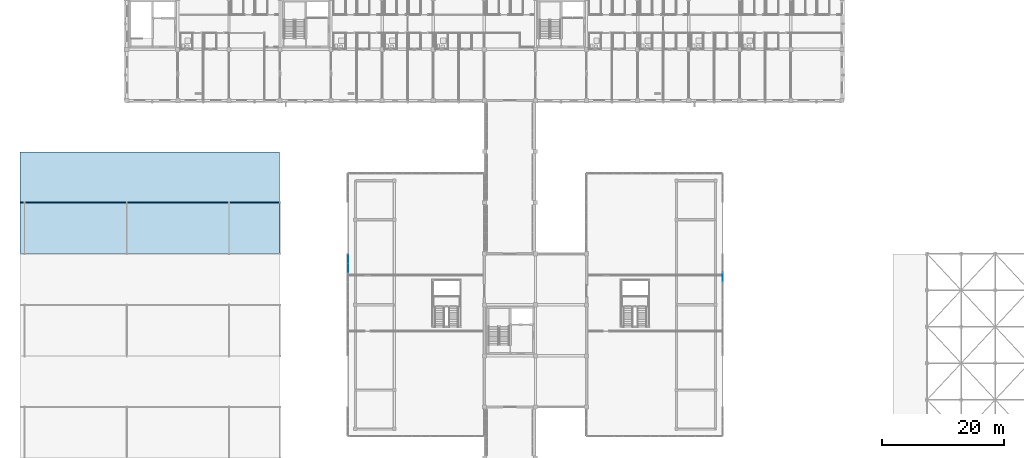
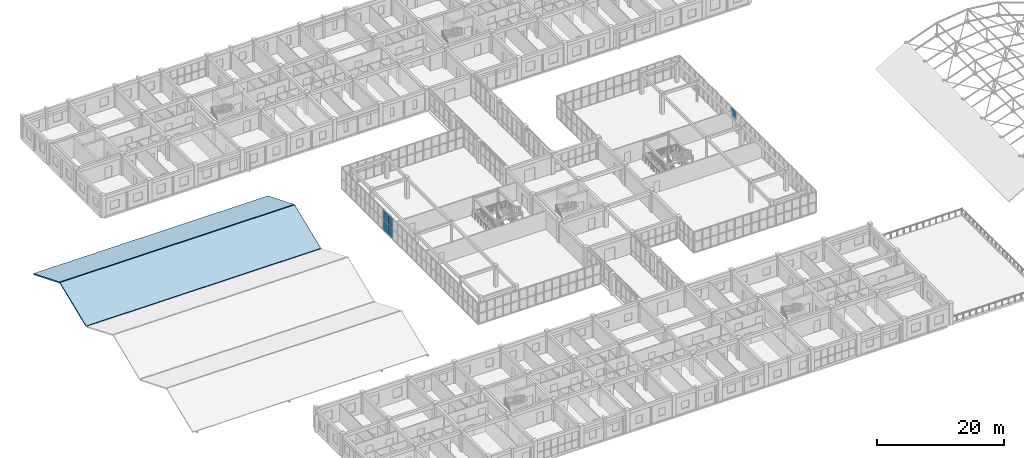
# One storey, part 100 of 140: 5 plates, 2 slabs, 2 elements without a shape of their own.
"""IFC4 building model written with IfcOpenShell, lengths in metres."""

import ifcopenshell
import ifcopenshell.guid

model = None  # the IFC model being written
_history = None  # IfcOwnerHistory: only IFC2X3 demands one
_inside = {}  # id of a spatial element -> (the spatial element, [elements in it])
_under = {}  # id of a project, library or spatial element -> (it, [spatial elements below it])
_declared = {}  # id of a project -> (the project, [libraries it declares])
_typed = {}  # id of a type object -> (the type object, [elements of that type])
_made_of = {}  # id of a material, layer set ... -> (it, [elements and type objects made of it])


def new_model(schema):
    """Start an empty IFC model of exactly this schema.

    Asked for "IFC4X3", IfcOpenShell would pick the latest addendum, in which some entities
    have other attributes; the version numbers below select the first issue.
    IFC2X3 requires an IfcOwnerHistory on every rooted entity: one is made here for all.
    """
    global model, _history
    if schema == "IFC4X3":
        model = ifcopenshell.file(schema_version=(4, 3, 0, 0))
    else:
        model = ifcopenshell.file(schema=schema)
    _inside.clear()
    _under.clear()
    _declared.clear()
    _typed.clear()
    _made_of.clear()
    _history = None
    if model.schema == "IFC2X3":
        org = make("IfcOrganization", Name="unknown")
        user = make(
            "IfcPersonAndOrganization",
            ThePerson=make("IfcPerson", FamilyName="unknown"),
            TheOrganization=org,
        )
        app = make(
            "IfcApplication",
            ApplicationDeveloper=org,
            Version="unknown",
            ApplicationFullName="unknown",
            ApplicationIdentifier="unknown",
        )
        _history = make(
            "IfcOwnerHistory",
            OwningUser=user,
            OwningApplication=app,
            ChangeAction="ADDED",
            CreationDate=0,
        )
    return model


def make(cls, **values):
    """One entity of the class cls with the attributes given. An attribute that is None is left unset."""
    return model.create_entity(
        cls, **{name: value for name, value in values.items() if value is not None}
    )


def rooted(cls, **values):
    """An entity with a GlobalId (a new one), such as an element, a storey or a relation."""
    return make(cls, GlobalId=ifcopenshell.guid.new(), OwnerHistory=_history, **values)


def si_unit(unit_type, name, prefix=None):
    """IfcSIUnit, for example si_unit("LENGTHUNIT", "METRE", prefix="MILLI")."""
    return make("IfcSIUnit", UnitType=unit_type, Prefix=prefix, Name=name)


def assignment(units):
    """IfcUnitAssignment: the units of a project."""
    return None if units is None else make("IfcUnitAssignment", Units=units)


def point(xyz):
    """IfcCartesianPoint."""
    return None if xyz is None else make("IfcCartesianPoint", Coordinates=xyz)


def direction(xyz):
    """IfcDirection."""
    return None if xyz is None else make("IfcDirection", DirectionRatios=xyz)


def frame(location, z_axis=None, x_axis=None):
    """IfcAxis2Placement3D, a coordinate frame: its origin and axes. An axis left out is left unset."""
    return make(
        "IfcAxis2Placement3D",
        Location=point(location),
        Axis=direction(z_axis),
        RefDirection=direction(x_axis),
    )


def frame_2d(location, x_axis=None):
    """IfcAxis2Placement2D, a coordinate frame in the plane: its origin and x axis."""
    return make(
        "IfcAxis2Placement2D", Location=point(location), RefDirection=direction(x_axis)
    )


def origin():
    """The frame at (0, 0, 0) with its axes left unset."""
    return frame((0.0, 0.0, 0.0))


def origin_2d():
    """The frame at (0, 0) in the plane with its x axis left unset."""
    return frame_2d((0.0, 0.0))


def place(relative_to, where):
    """IfcLocalPlacement: puts the frame where relative to a parent placement (None: the world)."""
    return make(
        "IfcLocalPlacement", PlacementRelTo=relative_to, RelativePlacement=where
    )


def context(
    kind, dimensions, precision=None, world=None, true_north=None, identifier=None
):
    """IfcGeometricRepresentationContext, for example the 3D "Model" context."""
    return make(
        "IfcGeometricRepresentationContext",
        ContextIdentifier=identifier,
        ContextType=kind,
        CoordinateSpaceDimension=dimensions,
        Precision=precision,
        WorldCoordinateSystem=world,
        TrueNorth=true_north,
    )


def subcontext(parent, identifier, kind, view, scale=None):
    """IfcGeometricRepresentationSubContext, for example "Body" below "Model"."""
    return make(
        "IfcGeometricRepresentationSubContext",
        ContextIdentifier=identifier,
        ContextType=kind,
        ParentContext=parent,
        TargetScale=scale,
        TargetView=view,
    )


def project(units=None, contexts=None):
    """IfcProject with its units and contexts."""
    return rooted(
        "IfcProject",
        Name="project",
        RepresentationContexts=contexts,
        UnitsInContext=assignment(units),
    )


def spatial(cls, under=None, at=None, **own):
    """A site, building, storey or space (cls), placed at a placement, below another one or the project."""
    s = rooted(cls, ObjectPlacement=at, **own)
    if under is not None:
        _under.setdefault(under.id(), (under, []))[1].append(s)
    return s


def polyline(points):
    """IfcPolyline through the points."""
    return make("IfcPolyline", Points=[point(p) for p in points])


def profile(cls, at=None, kind="AREA", **sizes):
    """A parametric profile (cls). Its sizes go by their IFC names, for example OverallWidth=200.0."""
    return make(cls, ProfileType=kind, Position=at, **sizes)


def rectangle(**sizes):
    """IfcRectangleProfileDef."""
    return profile("IfcRectangleProfileDef", **sizes)


def outline(outer, holes=None, kind="AREA"):
    """IfcArbitraryClosedProfileDef: a profile drawn as a closed curve; with holes, ...WithVoids."""
    if holes is None:
        return make("IfcArbitraryClosedProfileDef", ProfileType=kind, OuterCurve=outer)
    return make(
        "IfcArbitraryProfileDefWithVoids",
        ProfileType=kind,
        OuterCurve=outer,
        InnerCurves=holes,
    )


def extrude(swept, where, along, depth):
    """IfcExtrudedAreaSolid: the profile swept, set in the frame where, extruded along a direction by depth."""
    return make(
        "IfcExtrudedAreaSolid",
        SweptArea=swept,
        Position=where,
        ExtrudedDirection=direction(along),
        Depth=depth,
    )


def shape(context_of_items, identifier, shape_type, items):
    """IfcShapeRepresentation: the items that make up one representation, for example the "Body"."""
    return make(
        "IfcShapeRepresentation",
        ContextOfItems=context_of_items,
        RepresentationIdentifier=identifier,
        RepresentationType=shape_type,
        Items=items,
    )


def material(Name=None, Category=None):
    """IfcMaterial."""
    return make("IfcMaterial", Name=Name, Category=Category)


def layer(
    of_material, thickness, ventilated=None, Name=None, Category=None, Priority=None
):
    """IfcMaterialLayer: one layer of a wall or slab, of a material (None: an air gap)."""
    return make(
        "IfcMaterialLayer",
        Material=of_material,
        LayerThickness=thickness,
        IsVentilated=ventilated,
        Name=Name,
        Category=Category,
        Priority=Priority,
    )


def layer_set(layers, Name=None):
    """IfcMaterialLayerSet."""
    return make("IfcMaterialLayerSet", MaterialLayers=layers, LayerSetName=Name)


def made_of(thing, what):
    """Note that an element or type object is made of a material, layer set ...; save() writes the relation."""
    if what is not None:
        _made_of.setdefault(what.id(), (what, []))[1].append(thing)
    return thing


def type_object(cls, material=None, **own):
    """A type object (cls), such as IfcWallType, which elements share."""
    return made_of(rooted(cls, **own), material)


def element(
    cls,
    number,
    at=None,
    inside=None,
    cuts=None,
    type_object=None,
    material=None,
    context=None,
    identifier="Body",
    shape_type=None,
    held_by="IfcProductDefinitionShape",
    body=None,
    shapes=None,
    **own,
):
    """One element of the class cls, such as IfcWall. Its Tag is "e" and its number.

    at: its placement. inside: the storey or other place that contains it. cuts: it is an
    opening in that element (IfcRelVoidsElement). A single representation is given by context,
    identifier, shape_type and body (its items); several are given by shapes. held_by: the class
    of the entity that holds the representations. save() writes the other relations.
    """
    e = rooted(cls, Tag="e%d" % number, ObjectPlacement=at, **own)
    if body is not None:
        shapes = [shape(context, identifier, shape_type, body)]
    if shapes is not None:
        e.Representation = make(held_by, Representations=shapes)
    if inside is not None:
        _inside.setdefault(inside.id(), (inside, []))[1].append(e)
    if cuts is not None:
        rooted(
            "IfcRelVoidsElement", RelatingBuildingElement=cuts, RelatedOpeningElement=e
        )
    if type_object is not None:
        _typed.setdefault(type_object.id(), (type_object, []))[1].append(e)
    return made_of(e, material)


def aggregate(whole, parts):
    """IfcRelAggregates: a whole, such as a stair, and the parts it consists of."""
    return rooted("IfcRelAggregates", RelatingObject=whole, RelatedObjects=parts)


def save(model, path):
    """Write the relations noted so far, then the file.

    IfcRelAggregates (storeys below a building ...), IfcRelContainedInSpatialStructure (elements
    in a storey), IfcRelDefinesByType, IfcRelAssociatesMaterial and IfcRelDeclares: one each for
    every whole, place, type object, material and project.
    """
    for whole, parts in _under.values():
        aggregate(whole, parts)
    for where, things in _inside.values():
        rooted(
            "IfcRelContainedInSpatialStructure",
            RelatedElements=things,
            RelatingStructure=where,
        )
    for kind, things in _typed.values():
        rooted("IfcRelDefinesByType", RelatedObjects=things, RelatingType=kind)
    for what, things in _made_of.values():
        rooted("IfcRelAssociatesMaterial", RelatedObjects=things, RelatingMaterial=what)
    for by, libraries in _declared.values():
        rooted("IfcRelDeclares", RelatingContext=by, RelatedDefinitions=libraries)
    model.write(path)


model = new_model("IFC4")

# Units and contexts
model_context = context("Model", 3, precision=1e-05, world=origin(), true_north=direction((0.0, 1.0)))
body_context = subcontext(model_context, "Body", "Model", "MODEL_VIEW")
ifc_project = project(units=[si_unit("LENGTHUNIT", "METRE"), si_unit("AREAUNIT", "SQUARE_METRE"), si_unit("VOLUMEUNIT", "CUBIC_METRE"), si_unit("PLANEANGLEUNIT", "RADIAN"), si_unit("MASSUNIT", "GRAM", prefix="KILO")], contexts=[model_context])

# Site, building, storey
site_placement = place(None, origin())
site = spatial("IfcSite", under=ifc_project, at=site_placement, CompositionType="ELEMENT")
building_placement = place(site_placement, origin())
building = spatial("IfcBuilding", under=site, at=building_placement, Name="Trelvath General Hospital", CompositionType="ELEMENT")
storey_placement = place(building_placement, frame((0.0, 0.0, 16.199951171875)))
storey = spatial("IfcBuildingStorey", under=building, at=storey_placement, Name="L04", CompositionType="ELEMENT", Elevation=16.199951171875)

# Curtain wall, plates
ifc_material_1 = material(Name="Anodised aluminium and low-E glass", Category="aluminium")
ifc_layer_1 = layer(ifc_material_1, 0.139892578125)
ifc_layer_set_1 = layer_set([ifc_layer_1], Name="Anodised aluminium and low-E glass")
curtain_wall_type = type_object("IfcCurtainWallType", Name="CW CrystalCube 1664 396 14", PredefinedType="USERDEFINED", material=ifc_layer_set_1)
curtain_wall_1_placement = place(storey_placement, origin())
curtain_wall_1 = element("IfcCurtainWall", 1, at=curtain_wall_1_placement, inside=storey, type_object=curtain_wall_type, Name="Crystal Cube Curtain Wall CUBE-W-T1 W3 L04", ObjectType="Unitised Glazed Curtain Wall", PredefinedType="USERDEFINED")
ifc_material_2 = material(Name="Low-E laminated glass", Category="glass")
ifc_layer_2 = layer(ifc_material_2, 0.028076171875)
ifc_layer_set_2 = layer_set([ifc_layer_2], Name="Low-E laminated glass")
plate_type = type_object("IfcPlateType", Name="CurtainPanel Glass28", PredefinedType="CURTAIN_PANEL", material=ifc_layer_set_2)
plate_1_placement = place(storey_placement, frame((53.199951171875, 64.850830078125, 0.06005859375), z_axis=(0.0, 0.0, 1.0), x_axis=(0.0, 1.0, 0.0)))
plate_1 = element("IfcPlate", 2, at=plate_1_placement, type_object=plate_type, Name="CW-277 panel 10.1", PredefinedType="CURTAIN_PANEL", context=body_context, shape_type="SweptSolid", body=[
    extrude(rectangle(XDim=1.45263671875, YDim=0.028076171875, at=origin_2d()), origin(), (0.0, 0.0, 1.0), 1.889892578125),
])
plate_2_placement = place(storey_placement, frame((53.199951171875, 64.850830078125, 2.01025390625), z_axis=(0.0, 0.0, 1.0), x_axis=(0.0, 1.0, 0.0)))
plate_2 = element("IfcPlate", 3, at=plate_2_placement, type_object=plate_type, Name="CW-277 panel 10.2", PredefinedType="CURTAIN_PANEL", context=body_context, shape_type="SweptSolid", body=[
    extrude(rectangle(XDim=1.45263671875, YDim=0.028076171875, at=origin_2d()), origin(), (0.0, 0.0, 1.0), 1.889892578125),
])
plate_3_placement = place(storey_placement, frame((53.199951171875, 66.3486328125, 0.06005859375), z_axis=(0.0, 0.0, 1.0), x_axis=(0.0, 1.0, 0.0)))
plate_3 = element("IfcPlate", 4, at=plate_3_placement, type_object=plate_type, Name="CW-277 panel 11.1", PredefinedType="CURTAIN_PANEL", context=body_context, shape_type="SweptSolid", body=[
    extrude(rectangle(XDim=1.422607421875, YDim=0.028076171875, at=origin_2d()), origin(), (0.0, 0.0, 1.0), 1.889892578125),
])
plate_4_placement = place(storey_placement, frame((53.199951171875, 66.3486328125, 2.01025390625), z_axis=(0.0, 0.0, 1.0), x_axis=(0.0, 1.0, 0.0)))
plate_4 = element("IfcPlate", 5, at=plate_4_placement, type_object=plate_type, Name="CW-277 panel 11.2", PredefinedType="CURTAIN_PANEL", context=body_context, shape_type="SweptSolid", body=[
    extrude(rectangle(XDim=1.422607421875, YDim=0.028076171875, at=origin_2d()), origin(), (0.0, 0.0, 1.0), 1.889892578125),
])
aggregate(curtain_wall_1, [plate_1, plate_2, plate_3, plate_4])

# Curtain wall, plate
curtain_wall_2_placement = place(storey_placement, origin())
curtain_wall_2 = element("IfcCurtainWall", 6, at=curtain_wall_2_placement, inside=storey, type_object=curtain_wall_type, Name="Crystal Cube Curtain Wall CUBE-E-T1 E3 L04", ObjectType="Unitised Glazed Curtain Wall", PredefinedType="USERDEFINED")
plate_5_placement = place(storey_placement, frame((114.800048828125, 63.338134765625, 2.01025390625), z_axis=(0.0, 0.0, 1.0), x_axis=(0.0, -1.0, 0.0)))
plate_5 = element("IfcPlate", 7, at=plate_5_placement, type_object=plate_type, Name="CW-291 panel 3.2", PredefinedType="CURTAIN_PANEL", context=body_context, shape_type="SweptSolid", body=[
    extrude(rectangle(XDim=1.45263671875, YDim=0.028076171875, at=origin_2d()), origin(), (0.0, 0.0, 1.0), 1.889892578125),
])
aggregate(curtain_wall_2, [plate_5])

# Slabs
ifc_material_3 = material(Name="Concrete C35/45", Category="concrete")
ifc_layer_3 = layer(ifc_material_3, 0.219970703125)
ifc_layer_set_3 = layer_set([ifc_layer_3], Name="Concrete C35/45")
slab_type = type_object("IfcSlabType", Name="RoofSlab Folded220", PredefinedType="ROOF", material=ifc_layer_set_3)
slab_1_placement = place(storey_placement, frame((-0.75, 67.280029296875, 0.239990234375), z_axis=(0.0, -0.377593170134, 0.925971596686), x_axis=(1.0, 0.0, 0.0)))
element("IfcSlab", 8, at=slab_1_placement, inside=storey, type_object=slab_type, Name="Operating Suite Folded Concrete Shell S3", PredefinedType="ROOF", context=body_context, shape_type="SweptSolid", body=[
    extrude(outline(polyline([(0.0, 0.0), (42.68994140625, 0.0), (42.68994140625, 8.898750527413094), (0.0, 8.898750527413094), (0.0, 0.0)])), origin(), (0.0, 0.0, -1.0), 0.219970703125),
])
slab_2_placement = place(storey_placement, frame((-0.75, 75.679931640625, 3.60009765625), z_axis=(0.0, 0.376808083099, 0.926291351849), x_axis=(1.0, 0.0, 0.0)))
element("IfcSlab", 9, at=slab_2_placement, inside=storey, type_object=slab_type, Name="Operating Suite Folded Concrete Shell N3", PredefinedType="ROOF", context=body_context, shape_type="SweptSolid", body=[
    extrude(outline(polyline([(0.0, 0.0), (42.68994140625, 0.0), (42.68994140625, 8.917291248734664), (0.0, 8.917291248734664), (0.0, 0.0)])), origin(), (0.0, 0.0, -1.0), 0.219970703125),
])

save(model, "model.ifc")
